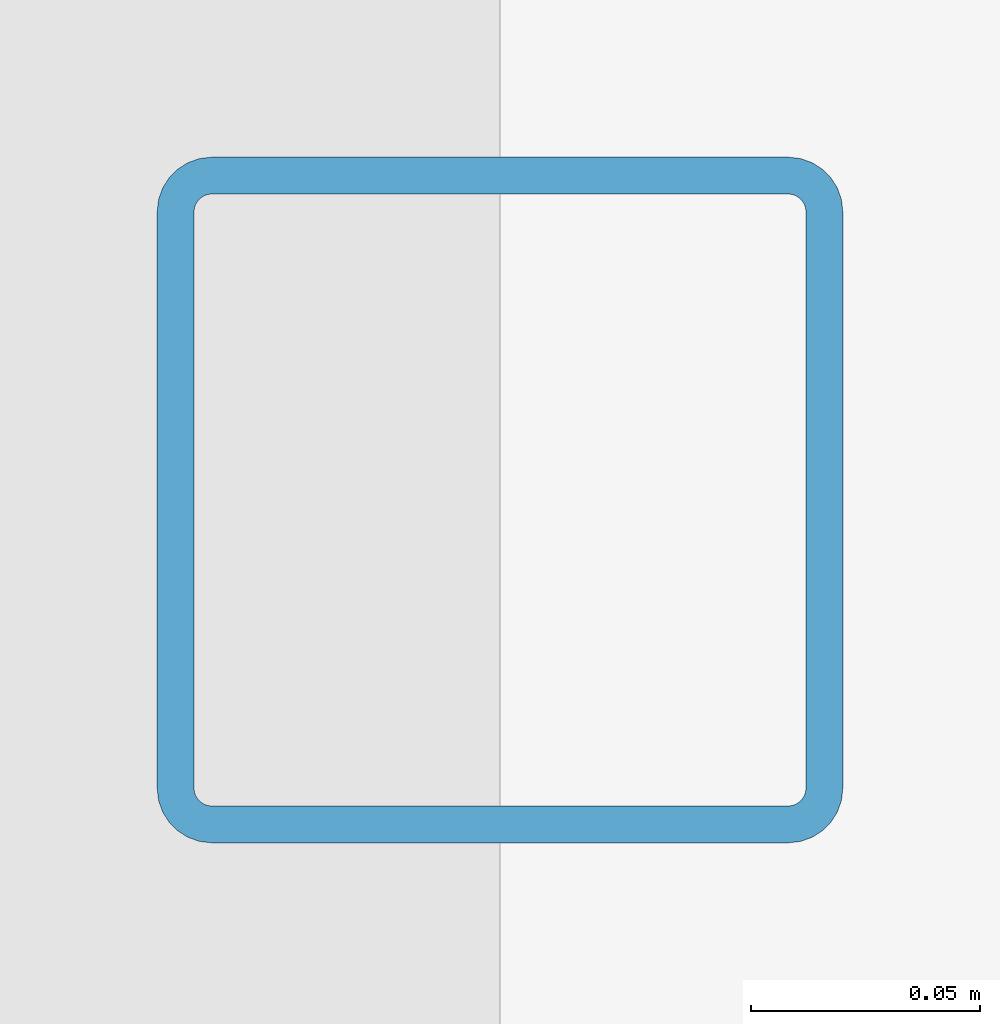
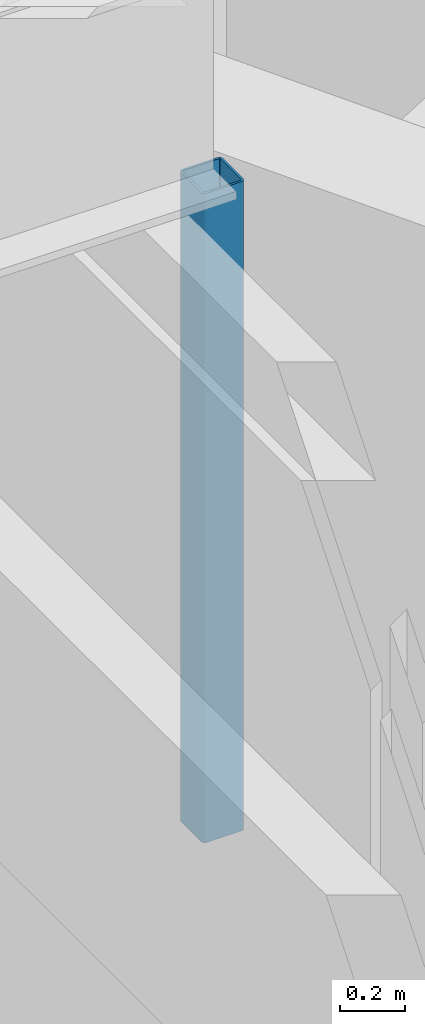
# One storey, part 7 of 35: 1 column.
"""IFC4 building model written with IfcOpenShell, lengths in metres."""

from ifc_helpers import new_model, si_unit, direction, frame, origin, origin_2d, place, context, subcontext, project, spatial, hollow_rectangle, extrude, material, material_profile, profile_set, type_object, element, save


model = new_model("IFC4")

# Units and contexts
model_context = context("Model", 3, precision=1e-05, world=origin(), true_north=direction((0.0, 1.0)))
body_context = subcontext(model_context, "Body", "Model", "MODEL_VIEW")
ifc_project = project(units=[si_unit("LENGTHUNIT", "METRE"), si_unit("AREAUNIT", "SQUARE_METRE"), si_unit("VOLUMEUNIT", "CUBIC_METRE"), si_unit("PLANEANGLEUNIT", "RADIAN"), si_unit("MASSUNIT", "GRAM", prefix="KILO")], contexts=[model_context])

# Site, building, storey
site_placement = place(None, origin())
site = spatial("IfcSite", under=ifc_project, at=site_placement, CompositionType="ELEMENT")
building_placement = place(site_placement, origin())
building = spatial("IfcBuilding", under=site, at=building_placement, Name="Cormorant Relay Tower", CompositionType="ELEMENT")
storey_placement = place(building_placement, frame((0.0, 0.0, 324.300048828125)))
storey = spatial("IfcBuildingStorey", under=building, at=storey_placement, Name="L74", CompositionType="ELEMENT", Elevation=324.300048828125)

# Column
ifc_material = material(Name="Steel ASTM A500 Grade C (Fy 345 MPa)", Category="steel")
ifc_material_profile = material_profile(ifc_material, hollow_rectangle(XDim=0.14990234375, YDim=0.14990234375, WallThickness=0.008056640625, InnerFilletRadius=0.00390625, OuterFilletRadius=0.011962890625, at=origin_2d()), Name="RHS150x150x8")
ifc_profile_set = profile_set([ifc_material_profile], Name="Steel ASTM A500 Grade C (Fy 345 MPa)")
column_type = type_object("IfcColumnType", Name="CW5 lantern post RHS 150 x 150", PredefinedType="COLUMN", material=ifc_profile_set)
column_placement = place(storey_placement, frame((11.669921875, 6.525634765625, 3.89990234375), z_axis=(0.0, 0.0, 1.0), x_axis=(1.0, 0.0, 0.0)))
element("IfcColumn", 1, at=column_placement, inside=storey, type_object=column_type, Name="CW5 lantern post 12", PredefinedType="COLUMN", context=body_context, shape_type="SweptSolid", body=[
    extrude(hollow_rectangle(XDim=0.14990234375, YDim=0.14990234375, WallThickness=0.008056640625, InnerFilletRadius=0.00390625, OuterFilletRadius=0.011962890625, at=origin_2d()), origin(), (0.0, 0.0, 1.0), 2.449951171875),
])

save(model, "model.ifc")
